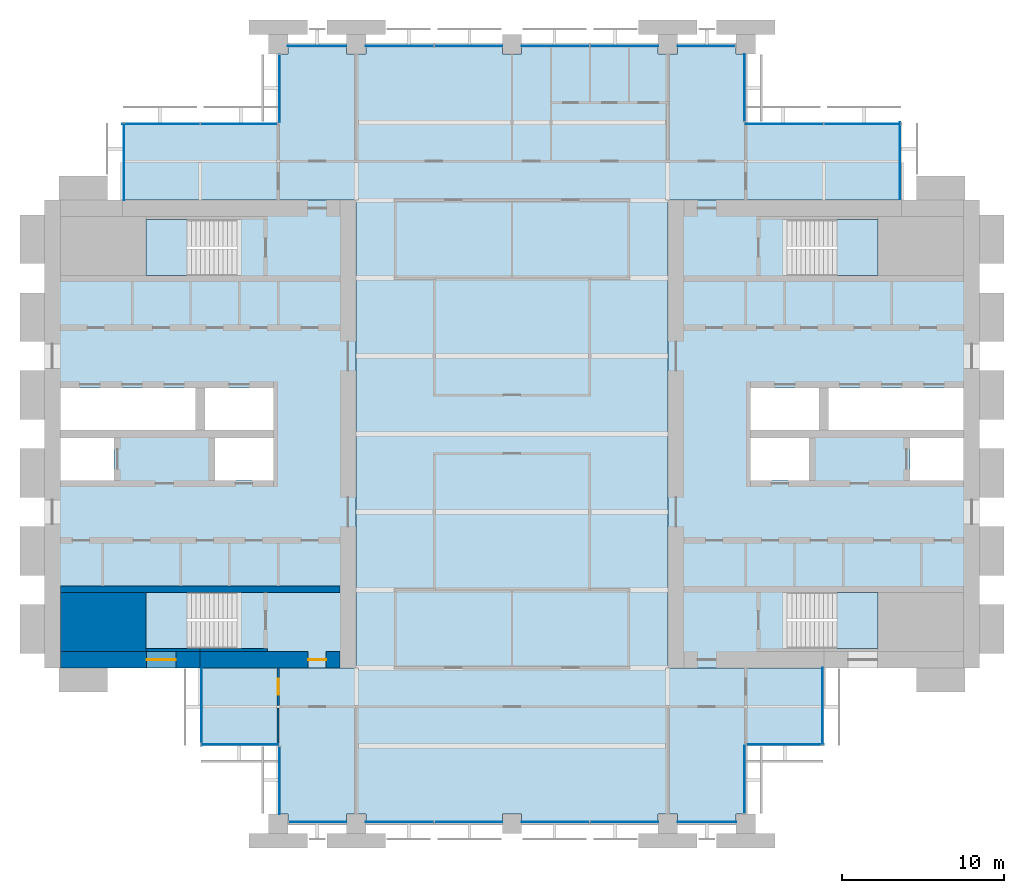
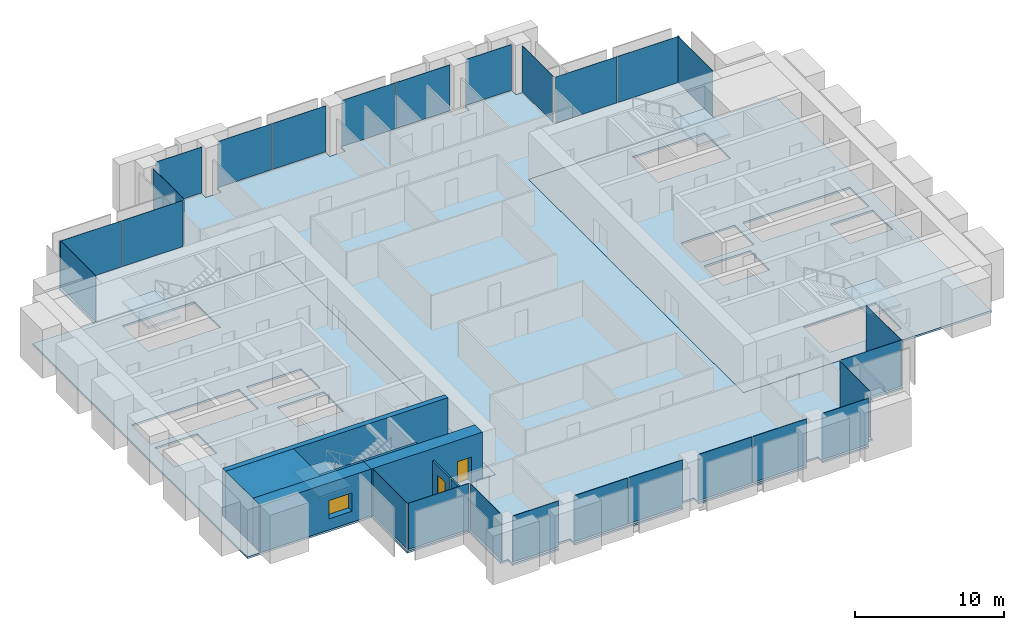
# One storey, part 8 of 14: 26 plates, 8 walls, 7 slabs, 2 doors, 1 window, 3 openings, 18 elements without a shape of their own.
"""IFC4 building model written with IfcOpenShell, lengths in metres."""

from ifc_helpers import new_model, si_unit, direction, frame, frame_2d, origin, origin_2d, place, context, subcontext, project, spatial, polyline, rectangle, outline, extrude, material, layer, layer_set, type_object, element, fill, aggregate, save


model = new_model("IFC4")

# Units and contexts
model_context = context("Model", 3, precision=1e-05, world=origin(), true_north=direction((0.0, 1.0)))
body_context = subcontext(model_context, "Body", "Model", "MODEL_VIEW")
ifc_project = project(units=[si_unit("LENGTHUNIT", "METRE"), si_unit("AREAUNIT", "SQUARE_METRE"), si_unit("VOLUMEUNIT", "CUBIC_METRE"), si_unit("PLANEANGLEUNIT", "RADIAN"), si_unit("MASSUNIT", "GRAM", prefix="KILO")], contexts=[model_context])

# Site, building, storey
site_placement = place(None, origin())
site = spatial("IfcSite", under=ifc_project, at=site_placement, CompositionType="ELEMENT")
building_placement = place(site_placement, origin())
building = spatial("IfcBuilding", under=site, at=building_placement, Name="Baori Bourse Tower", CompositionType="ELEMENT")
storey_placement = place(building_placement, frame((0.0, 0.0, 124.10009765625)))
storey = spatial("IfcBuildingStorey", under=building, at=storey_placement, Name="L26", CompositionType="ELEMENT", Elevation=124.10009765625)

# Curtain wall, plates
ifc_material_1 = material(Name="Pale anodised aluminium", Category="aluminium")
curtain_wall_type_1 = type_object("IfcCurtainWallType", Name="CW1 Curtain wall", PredefinedType="NOTDEFINED", material=ifc_material_1)
curtain_wall_1_placement = place(storey_placement, origin())
curtain_wall_1 = element("IfcCurtainWall", 1, at=curtain_wall_1_placement, inside=storey, type_object=curtain_wall_type_1, Name="Curtain wall CW1 L26 4", PredefinedType="NOTDEFINED")
ifc_material_2 = material(Name="Clear glass", Category="glass")
ifc_layer_1 = layer(ifc_material_2, 0.033935546875)
ifc_layer_set_1 = layer_set([ifc_layer_1], Name="CW1 Curtain wall panel")
plate_type_1 = type_object("IfcPlateType", Name="CW1 Curtain wall panel", PredefinedType="CURTAIN_PANEL", material=ifc_layer_set_1)
plate_1_placement = place(storey_placement, frame((40.77001953125, 47.89990234375, 0.080078125), z_axis=(0.0, 0.0, 1.0), x_axis=(-1.0, 0.0, 0.0)))
plate_1 = element("IfcPlate", 2, at=plate_1_placement, type_object=plate_type_1, Name="Curtain wall CW1 panel", PredefinedType="CURTAIN_PANEL", context=body_context, shape_type="SweptSolid", body=[
    extrude(rectangle(XDim=3.5400390625, YDim=0.033935546875, at=origin_2d()), origin(), (0.0, 0.0, 1.0), 3.760009765625),
])
plate_2_placement = place(storey_placement, frame((35.715087890625, 47.89990234375, 0.080078125), z_axis=(0.0, 0.0, 1.0), x_axis=(-1.0, 0.0, 0.0)))
plate_2 = element("IfcPlate", 3, at=plate_2_placement, type_object=plate_type_1, Name="Curtain wall CW1 panel", PredefinedType="CURTAIN_PANEL", context=body_context, shape_type="SweptSolid", body=[
    extrude(rectangle(XDim=4.169921875, YDim=0.033935546875, at=origin_2d()), origin(), (0.0, 0.0, 1.0), 3.760009765625),
])
plate_3_placement = place(storey_placement, frame((31.485107421875, 47.89990234375, 0.080078125), z_axis=(0.0, 0.0, 1.0), x_axis=(-1.0, 0.0, 0.0)))
plate_3 = element("IfcPlate", 4, at=plate_3_placement, type_object=plate_type_1, Name="Curtain wall CW1 panel", PredefinedType="CURTAIN_PANEL", context=body_context, shape_type="SweptSolid", body=[
    extrude(rectangle(XDim=4.169921875, YDim=0.033935546875, at=origin_2d()), origin(), (0.0, 0.0, 1.0), 3.760009765625),
])
plate_4_placement = place(storey_placement, frame((26.114990234375, 47.89990234375, 0.080078125), z_axis=(0.0, 0.0, 1.0), x_axis=(-1.0, 0.0, 0.0)))
plate_4 = element("IfcPlate", 5, at=plate_4_placement, type_object=plate_type_1, Name="Curtain wall CW1 panel", PredefinedType="CURTAIN_PANEL", context=body_context, shape_type="SweptSolid", body=[
    extrude(rectangle(XDim=4.169921875, YDim=0.033935546875, at=origin_2d()), origin(), (0.0, 0.0, 1.0), 3.760009765625),
])
plate_5_placement = place(storey_placement, frame((21.885009765625, 47.89990234375, 0.080078125), z_axis=(0.0, 0.0, 1.0), x_axis=(-1.0, 0.0, 0.0)))
plate_5 = element("IfcPlate", 6, at=plate_5_placement, type_object=plate_type_1, Name="Curtain wall CW1 panel", PredefinedType="CURTAIN_PANEL", context=body_context, shape_type="SweptSolid", body=[
    extrude(rectangle(XDim=4.169921875, YDim=0.033935546875, at=origin_2d()), origin(), (0.0, 0.0, 1.0), 3.760009765625),
])
plate_6_placement = place(storey_placement, frame((16.800048828125, 47.89990234375, 0.080078125), z_axis=(0.0, 0.0, 1.0), x_axis=(-1.0, 0.0, 0.0)))
plate_6 = element("IfcPlate", 7, at=plate_6_placement, type_object=plate_type_1, Name="Curtain wall CW1 panel", PredefinedType="CURTAIN_PANEL", context=body_context, shape_type="SweptSolid", body=[
    extrude(rectangle(XDim=3.60009765625, YDim=0.033935546875, at=origin_2d()), origin(), (0.0, 0.0, 1.0), 3.760009765625),
])
aggregate(curtain_wall_1, [plate_1, plate_2, plate_3, plate_4, plate_5, plate_6])

curtain_wall_2_placement = place(storey_placement, origin())
curtain_wall_2 = element("IfcCurtainWall", 8, at=curtain_wall_2_placement, inside=storey, type_object=curtain_wall_type_1, Name="Curtain wall CW1 L26 11", PredefinedType="NOTDEFINED")
plate_7_placement = place(storey_placement, frame((16.830078125, 0.10009765625, 0.080078125), z_axis=(0.0, 0.0, 1.0), x_axis=(1.0, 0.0, 0.0)))
plate_7 = element("IfcPlate", 9, at=plate_7_placement, type_object=plate_type_1, Name="Curtain wall CW1 panel", PredefinedType="CURTAIN_PANEL", context=body_context, shape_type="SweptSolid", body=[
    extrude(rectangle(XDim=3.5400390625, YDim=0.033935546875, at=origin_2d()), origin(), (0.0, 0.0, 1.0), 3.760009765625),
])
plate_8_placement = place(storey_placement, frame((21.885009765625, 0.10009765625, 0.080078125), z_axis=(0.0, 0.0, 1.0), x_axis=(1.0, 0.0, 0.0)))
plate_8 = element("IfcPlate", 10, at=plate_8_placement, type_object=plate_type_1, Name="Curtain wall CW1 panel", PredefinedType="CURTAIN_PANEL", context=body_context, shape_type="SweptSolid", body=[
    extrude(rectangle(XDim=4.169921875, YDim=0.033935546875, at=origin_2d()), origin(), (0.0, 0.0, 1.0), 3.760009765625),
])
plate_9_placement = place(storey_placement, frame((26.114990234375, 0.10009765625, 0.080078125), z_axis=(0.0, 0.0, 1.0), x_axis=(1.0, 0.0, 0.0)))
plate_9 = element("IfcPlate", 11, at=plate_9_placement, type_object=plate_type_1, Name="Curtain wall CW1 panel", PredefinedType="CURTAIN_PANEL", context=body_context, shape_type="SweptSolid", body=[
    extrude(rectangle(XDim=4.169921875, YDim=0.033935546875, at=origin_2d()), origin(), (0.0, 0.0, 1.0), 3.760009765625),
])
plate_10_placement = place(storey_placement, frame((31.485107421875, 0.10009765625, 0.080078125), z_axis=(0.0, 0.0, 1.0), x_axis=(1.0, 0.0, 0.0)))
plate_10 = element("IfcPlate", 12, at=plate_10_placement, type_object=plate_type_1, Name="Curtain wall CW1 panel", PredefinedType="CURTAIN_PANEL", context=body_context, shape_type="SweptSolid", body=[
    extrude(rectangle(XDim=4.169921875, YDim=0.033935546875, at=origin_2d()), origin(), (0.0, 0.0, 1.0), 3.760009765625),
])
plate_11_placement = place(storey_placement, frame((35.715087890625, 0.10009765625, 0.080078125), z_axis=(0.0, 0.0, 1.0), x_axis=(1.0, 0.0, 0.0)))
plate_11 = element("IfcPlate", 13, at=plate_11_placement, type_object=plate_type_1, Name="Curtain wall CW1 panel", PredefinedType="CURTAIN_PANEL", context=body_context, shape_type="SweptSolid", body=[
    extrude(rectangle(XDim=4.169921875, YDim=0.033935546875, at=origin_2d()), origin(), (0.0, 0.0, 1.0), 3.760009765625),
])
plate_12_placement = place(storey_placement, frame((40.800048828125, 0.10009765625, 0.080078125), z_axis=(0.0, 0.0, 1.0), x_axis=(1.0, 0.0, 0.0)))
plate_12 = element("IfcPlate", 14, at=plate_12_placement, type_object=plate_type_1, Name="Curtain wall CW1 panel", PredefinedType="CURTAIN_PANEL", context=body_context, shape_type="SweptSolid", body=[
    extrude(rectangle(XDim=3.60009765625, YDim=0.033935546875, at=origin_2d()), origin(), (0.0, 0.0, 1.0), 3.760009765625),
])
aggregate(curtain_wall_2, [plate_7, plate_8, plate_9, plate_10, plate_11, plate_12])

# Curtain wall, plate
ifc_material_3 = material(Name="Pale anodised aluminium", Category="aluminium")
curtain_wall_type_2 = type_object("IfcCurtainWallType", Name="CW2 Curtain wall", PredefinedType="NOTDEFINED", material=ifc_material_3)
curtain_wall_3_placement = place(storey_placement, origin())
curtain_wall_3 = element("IfcCurtainWall", 15, at=curtain_wall_3_placement, inside=storey, type_object=curtain_wall_type_2, Name="Curtain wall CW2 L26 1", PredefinedType="NOTDEFINED")
ifc_material_4 = material(Name="Clear glass", Category="glass")
ifc_layer_2 = layer(ifc_material_4, 0.030029296875)
ifc_layer_set_2 = layer_set([ifc_layer_2], Name="CW2 Curtain wall panel")
plate_type_2 = type_object("IfcPlateType", Name="CW2 Curtain wall panel", PredefinedType="CURTAIN_PANEL", material=ifc_layer_set_2)
plate_13_placement = place(storey_placement, frame((52.7099609375, 40.827392578125, 0.06982421875), z_axis=(0.0, 0.0, 1.0), x_axis=(0.0, 1.0, 0.0)))
plate_13 = element("IfcPlate", 16, at=plate_13_placement, type_object=plate_type_2, Name="Curtain wall CW2 panel", PredefinedType="CURTAIN_PANEL", context=body_context, shape_type="SweptSolid", body=[
    extrude(rectangle(XDim=4.7451171875, YDim=0.030029296875, at=origin_2d()), origin(), (0.0, 0.0, 1.0), 3.77001953125),
])
aggregate(curtain_wall_3, [plate_13])

# Curtain wall, plates
curtain_wall_4_placement = place(storey_placement, origin())
curtain_wall_4 = element("IfcCurtainWall", 17, at=curtain_wall_4_placement, inside=storey, type_object=curtain_wall_type_2, Name="Curtain wall CW2 L26 2", PredefinedType="NOTDEFINED")
plate_14_placement = place(storey_placement, frame((50.38623046875, 43.110107421875, 0.06982421875), z_axis=(0.0, 0.0, 1.0), x_axis=(-1.0, 0.0, 0.0)))
plate_14 = element("IfcPlate", 18, at=plate_14_placement, type_object=plate_type_2, Name="Curtain wall CW2 panel", PredefinedType="CURTAIN_PANEL", context=body_context, shape_type="SweptSolid", body=[
    extrude(rectangle(XDim=4.717529296875, YDim=0.030029296875, at=origin_2d()), origin(), (0.0, 0.0, 1.0), 3.77001953125),
])
plate_15_placement = place(storey_placement, frame((45.586181640625, 43.110107421875, 0.06982421875), z_axis=(0.0, 0.0, 1.0), x_axis=(-1.0, 0.0, 0.0)))
plate_15 = element("IfcPlate", 19, at=plate_15_placement, type_object=plate_type_2, Name="Curtain wall CW2 panel", PredefinedType="CURTAIN_PANEL", context=body_context, shape_type="SweptSolid", body=[
    extrude(rectangle(XDim=4.7724609375, YDim=0.030029296875, at=origin_2d()), origin(), (0.0, 0.0, 1.0), 3.77001953125),
])
aggregate(curtain_wall_4, [plate_14, plate_15])

# Curtain wall, plate
curtain_wall_5_placement = place(storey_placement, origin())
curtain_wall_5 = element("IfcCurtainWall", 20, at=curtain_wall_5_placement, inside=storey, type_object=curtain_wall_type_2, Name="Curtain wall CW2 L26 3", PredefinedType="NOTDEFINED")
plate_16_placement = place(storey_placement, frame((43.110107421875, 45.327392578125, 0.06982421875), z_axis=(0.0, 0.0, 1.0), x_axis=(0.0, 1.0, 0.0)))
plate_16 = element("IfcPlate", 21, at=plate_16_placement, type_object=plate_type_2, Name="Curtain wall CW2 panel", PredefinedType="CURTAIN_PANEL", context=body_context, shape_type="SweptSolid", body=[
    extrude(rectangle(XDim=4.14501953125, YDim=0.030029296875, at=origin_2d()), origin(), (0.0, 0.0, 1.0), 3.77001953125),
])
aggregate(curtain_wall_5, [plate_16])

curtain_wall_6_placement = place(storey_placement, origin())
curtain_wall_6 = element("IfcCurtainWall", 22, at=curtain_wall_6_placement, inside=storey, type_object=curtain_wall_type_2, Name="Curtain wall CW2 L26 5", PredefinedType="NOTDEFINED")
plate_17_placement = place(storey_placement, frame((14.489990234375, 45.2724609375, 0.06982421875), z_axis=(0.0, 0.0, 1.0), x_axis=(0.0, -1.0, 0.0)))
plate_17 = element("IfcPlate", 23, at=plate_17_placement, type_object=plate_type_2, Name="Curtain wall CW2 panel", PredefinedType="CURTAIN_PANEL", context=body_context, shape_type="SweptSolid", body=[
    extrude(rectangle(XDim=4.14501953125, YDim=0.030029296875, at=origin_2d()), origin(), (0.0, 0.0, 1.0), 3.77001953125),
])
aggregate(curtain_wall_6, [plate_17])

# Curtain wall, plates
curtain_wall_7_placement = place(storey_placement, origin())
curtain_wall_7 = element("IfcCurtainWall", 24, at=curtain_wall_7_placement, inside=storey, type_object=curtain_wall_type_2, Name="Curtain wall CW2 L26 6", PredefinedType="NOTDEFINED")
plate_18_placement = place(storey_placement, frame((11.986328125, 43.110107421875, 0.06982421875), z_axis=(0.0, 0.0, 1.0), x_axis=(-1.0, 0.0, 0.0)))
plate_18 = element("IfcPlate", 25, at=plate_18_placement, type_object=plate_type_2, Name="Curtain wall CW2 panel", PredefinedType="CURTAIN_PANEL", context=body_context, shape_type="SweptSolid", body=[
    extrude(rectangle(XDim=4.717529296875, YDim=0.030029296875, at=origin_2d()), origin(), (0.0, 0.0, 1.0), 3.77001953125),
])
plate_19_placement = place(storey_placement, frame((7.186279296875, 43.110107421875, 0.06982421875), z_axis=(0.0, 0.0, 1.0), x_axis=(-1.0, 0.0, 0.0)))
plate_19 = element("IfcPlate", 26, at=plate_19_placement, type_object=plate_type_2, Name="Curtain wall CW2 panel", PredefinedType="CURTAIN_PANEL", context=body_context, shape_type="SweptSolid", body=[
    extrude(rectangle(XDim=4.7724609375, YDim=0.030029296875, at=origin_2d()), origin(), (0.0, 0.0, 1.0), 3.77001953125),
])
aggregate(curtain_wall_7, [plate_18, plate_19])

# Curtain wall, plate
curtain_wall_8_placement = place(storey_placement, origin())
curtain_wall_8 = element("IfcCurtainWall", 27, at=curtain_wall_8_placement, inside=storey, type_object=curtain_wall_type_2, Name="Curtain wall CW2 L26 7", PredefinedType="NOTDEFINED")
plate_20_placement = place(storey_placement, frame((4.889892578125, 40.7724609375, 0.06982421875), z_axis=(0.0, 0.0, 1.0), x_axis=(0.0, -1.0, 0.0)))
plate_20 = element("IfcPlate", 28, at=plate_20_placement, type_object=plate_type_2, Name="Curtain wall CW2 panel", PredefinedType="CURTAIN_PANEL", context=body_context, shape_type="SweptSolid", body=[
    extrude(rectangle(XDim=4.7451171875, YDim=0.030029296875, at=origin_2d()), origin(), (0.0, 0.0, 1.0), 3.77001953125),
])
aggregate(curtain_wall_8, [plate_20])

curtain_wall_9_placement = place(storey_placement, origin())
curtain_wall_9 = element("IfcCurtainWall", 29, at=curtain_wall_9_placement, inside=storey, type_object=curtain_wall_type_2, Name="Curtain wall CW2 L26 8", PredefinedType="NOTDEFINED")
plate_21_placement = place(storey_placement, frame((9.68994140625, 7.172607421875, 0.06982421875), z_axis=(0.0, 0.0, 1.0), x_axis=(0.0, -1.0, 0.0)))
plate_21 = element("IfcPlate", 30, at=plate_21_placement, type_object=plate_type_2, Name="Curtain wall CW2 panel", PredefinedType="CURTAIN_PANEL", context=body_context, shape_type="SweptSolid", body=[
    extrude(rectangle(XDim=4.7451171875, YDim=0.030029296875, at=origin_2d()), origin(), (0.0, 0.0, 1.0), 3.77001953125),
])
aggregate(curtain_wall_9, [plate_21])

curtain_wall_10_placement = place(storey_placement, origin())
curtain_wall_10 = element("IfcCurtainWall", 31, at=curtain_wall_10_placement, inside=storey, type_object=curtain_wall_type_2, Name="Curtain wall CW2 L26 9", PredefinedType="NOTDEFINED")
plate_22_placement = place(storey_placement, frame((12.027587890625, 4.889892578125, 0.06982421875), z_axis=(0.0, 0.0, 1.0), x_axis=(1.0, 0.0, 0.0)))
plate_22 = element("IfcPlate", 32, at=plate_22_placement, type_object=plate_type_2, Name="Curtain wall CW2 panel", PredefinedType="CURTAIN_PANEL", context=body_context, shape_type="SweptSolid", body=[
    extrude(rectangle(XDim=4.7451171875, YDim=0.030029296875, at=origin_2d()), origin(), (0.0, 0.0, 1.0), 3.77001953125),
])
aggregate(curtain_wall_10, [plate_22])

curtain_wall_11_placement = place(storey_placement, origin())
curtain_wall_11 = element("IfcCurtainWall", 33, at=curtain_wall_11_placement, inside=storey, type_object=curtain_wall_type_2, Name="Curtain wall CW2 L26 10", PredefinedType="NOTDEFINED")
plate_23_placement = place(storey_placement, frame((14.489990234375, 2.672607421875, 0.06982421875), z_axis=(0.0, 0.0, 1.0), x_axis=(0.0, -1.0, 0.0)))
plate_23 = element("IfcPlate", 34, at=plate_23_placement, type_object=plate_type_2, Name="Curtain wall CW2 panel", PredefinedType="CURTAIN_PANEL", context=body_context, shape_type="SweptSolid", body=[
    extrude(rectangle(XDim=4.14501953125, YDim=0.030029296875, at=origin_2d()), origin(), (0.0, 0.0, 1.0), 3.77001953125),
])
aggregate(curtain_wall_11, [plate_23])

curtain_wall_12_placement = place(storey_placement, origin())
curtain_wall_12 = element("IfcCurtainWall", 35, at=curtain_wall_12_placement, inside=storey, type_object=curtain_wall_type_2, Name="Curtain wall CW2 L26 12", PredefinedType="NOTDEFINED")
plate_24_placement = place(storey_placement, frame((43.110107421875, 2.7275390625, 0.06982421875), z_axis=(0.0, 0.0, 1.0), x_axis=(0.0, 1.0, 0.0)))
plate_24 = element("IfcPlate", 36, at=plate_24_placement, type_object=plate_type_2, Name="Curtain wall CW2 panel", PredefinedType="CURTAIN_PANEL", context=body_context, shape_type="SweptSolid", body=[
    extrude(rectangle(XDim=4.14501953125, YDim=0.030029296875, at=origin_2d()), origin(), (0.0, 0.0, 1.0), 3.77001953125),
])
aggregate(curtain_wall_12, [plate_24])

curtain_wall_13_placement = place(storey_placement, origin())
curtain_wall_13 = element("IfcCurtainWall", 37, at=curtain_wall_13_placement, inside=storey, type_object=curtain_wall_type_2, Name="Curtain wall CW2 L26 13", PredefinedType="NOTDEFINED")
plate_25_placement = place(storey_placement, frame((45.62744140625, 4.889892578125, 0.06982421875), z_axis=(0.0, 0.0, 1.0), x_axis=(1.0, 0.0, 0.0)))
plate_25 = element("IfcPlate", 38, at=plate_25_placement, type_object=plate_type_2, Name="Curtain wall CW2 panel", PredefinedType="CURTAIN_PANEL", context=body_context, shape_type="SweptSolid", body=[
    extrude(rectangle(XDim=4.7451171875, YDim=0.030029296875, at=origin_2d()), origin(), (0.0, 0.0, 1.0), 3.77001953125),
])
aggregate(curtain_wall_13, [plate_25])

curtain_wall_14_placement = place(storey_placement, origin())
curtain_wall_14 = element("IfcCurtainWall", 39, at=curtain_wall_14_placement, inside=storey, type_object=curtain_wall_type_2, Name="Curtain wall CW2 L26 14", PredefinedType="NOTDEFINED")
plate_26_placement = place(storey_placement, frame((47.909912109375, 7.2275390625, 0.06982421875), z_axis=(0.0, 0.0, 1.0), x_axis=(0.0, 1.0, 0.0)))
plate_26 = element("IfcPlate", 40, at=plate_26_placement, type_object=plate_type_2, Name="Curtain wall CW2 panel", PredefinedType="CURTAIN_PANEL", context=body_context, shape_type="SweptSolid", body=[
    extrude(rectangle(XDim=4.7451171875, YDim=0.030029296875, at=origin_2d()), origin(), (0.0, 0.0, 1.0), 3.77001953125),
])
aggregate(curtain_wall_14, [plate_26])

# Slabs
ifc_material_5 = material(Name="Concrete f'c 50 MPa", Category="concrete")
ifc_layer_3 = layer(ifc_material_5, 0.159912109375)
ifc_layer_set_3 = layer_set([ifc_layer_3], Name="Core slab 160")
slab_type_1 = type_object("IfcSlabType", Name="Core slab 160", PredefinedType="FLOOR", material=ifc_layer_set_3)
slab_1_placement = place(storey_placement, frame((0.0, 0.0, -0.16015625)))
element("IfcSlab", 41, at=slab_1_placement, inside=storey, type_object=slab_type_1, Name="Core floor slab W01", PredefinedType="FLOOR", context=body_context, shape_type="SweptSolid", body=[
    extrude(outline(polyline([(0.0, 38.39990234375), (0.0, 9.60009765625), (19.199951171875, 9.60009765625), (19.199951171875, 38.39990234375), (0.0, 38.39990234375)]), holes=[polyline([(10.5, 21.14990234375), (10.5, 23.75), (14.10009765625, 23.75), (14.10009765625, 21.14990234375), (10.5, 21.14990234375)]), polyline([(14.10009765625, 24.25), (9.89990234375, 24.25), (9.89990234375, 26.85009765625), (14.10009765625, 26.85009765625), (14.10009765625, 24.25)]), polyline([(6.25, 14.25), (11.84912109375, 14.25), (11.84912109375, 10.800048828125), (6.25, 10.800048828125), (6.25, 14.25)]), polyline([(11.84912109375, 37.199951171875), (11.84912109375, 33.75), (6.25, 33.75), (6.25, 37.199951171875), (11.84912109375, 37.199951171875)]), polyline([(1.0, 26.85009765625), (9.300048828125, 26.85009765625), (9.300048828125, 24.25), (1.0, 24.25), (1.0, 26.85009765625)]), polyline([(4.300048828125, 23.75), (4.300048828125, 21.14990234375), (1.0, 21.14990234375), (1.0, 23.75), (4.300048828125, 23.75)])]), origin(), (0.0, 0.0, 1.0), 0.16015625),
])
slab_2_placement = place(storey_placement, frame((0.0, 0.0, -0.16015625)))
element("IfcSlab", 42, at=slab_2_placement, inside=storey, type_object=slab_type_1, Name="Core floor slab E01", PredefinedType="FLOOR", context=body_context, shape_type="SweptSolid", body=[
    extrude(outline(polyline([(57.60009765625, 38.39990234375), (38.39990234375, 38.39990234375), (38.39990234375, 9.60009765625), (57.60009765625, 9.60009765625), (57.60009765625, 38.39990234375)]), holes=[polyline([(56.60009765625, 21.14990234375), (53.300048828125, 21.14990234375), (53.300048828125, 23.75), (56.60009765625, 23.75), (56.60009765625, 21.14990234375)]), polyline([(56.60009765625, 26.85009765625), (56.60009765625, 24.25), (48.300048828125, 24.25), (48.300048828125, 26.85009765625), (56.60009765625, 26.85009765625)]), polyline([(45.750732421875, 14.25), (51.35009765625, 14.25), (51.35009765625, 10.800048828125), (45.750732421875, 10.800048828125), (45.750732421875, 14.25)]), polyline([(51.35009765625, 37.199951171875), (51.35009765625, 33.75), (45.750732421875, 33.75), (45.750732421875, 37.199951171875), (51.35009765625, 37.199951171875)]), polyline([(43.5, 24.25), (43.5, 26.85009765625), (47.699951171875, 26.85009765625), (47.699951171875, 24.25), (43.5, 24.25)]), polyline([(43.5, 23.75), (47.10009765625, 23.75), (47.10009765625, 21.14990234375), (43.5, 21.14990234375), (43.5, 23.75)])]), origin(), (0.0, 0.0, 1.0), 0.16015625),
])

# Stair, slab
ifc_material_6 = material(Name="Concrete f'c 50 MPa", Category="concrete")
stair_type = type_object("IfcStairType", Name="Core stair", PredefinedType="HALF_TURN_STAIR", material=ifc_material_6)
stair_1_placement = place(storey_placement, origin())
stair_1 = element("IfcStair", 43, at=stair_1_placement, inside=storey, type_object=stair_type, Name="L26 Stair WA", PredefinedType="HALF_TURN_STAIR")
ifc_material_7 = material(Name="Concrete f'c 50 MPa", Category="concrete")
slab_type_2 = type_object("IfcSlabType", Name="Core stair landing", PredefinedType="LANDING", material=ifc_material_7)
slab_3_placement = place(storey_placement, frame((0.0, 0.0, 1.7998046875)))
slab_3 = element("IfcSlab", 44, at=slab_3_placement, type_object=slab_type_2, Name="ST1 landing 1", PredefinedType="LANDING", context=body_context, shape_type="SweptSolid", body=[
    extrude(outline(polyline([(8.77001953125, 14.25), (6.25, 14.25), (6.25, 10.800048828125), (8.77001953125, 10.800048828125), (8.77001953125, 14.25)])), origin(), (0.0, 0.0, 1.0), 0.2001953125),
])
aggregate(stair_1, [slab_3])

stair_2_placement = place(storey_placement, origin())
stair_2 = element("IfcStair", 45, at=stair_2_placement, inside=storey, type_object=stair_type, Name="L26 Stair WB", PredefinedType="HALF_TURN_STAIR")
slab_4_placement = place(storey_placement, frame((0.0, 0.0, 1.7998046875)))
slab_4 = element("IfcSlab", 46, at=slab_4_placement, type_object=slab_type_2, Name="ST2 landing 1", PredefinedType="LANDING", context=body_context, shape_type="SweptSolid", body=[
    extrude(outline(polyline([(8.77001953125, 37.199951171875), (6.25, 37.199951171875), (6.25, 33.75), (8.77001953125, 33.75), (8.77001953125, 37.199951171875)])), origin(), (0.0, 0.0, 1.0), 0.2001953125),
])
aggregate(stair_2, [slab_4])

stair_3_placement = place(storey_placement, origin())
stair_3 = element("IfcStair", 47, at=stair_3_placement, inside=storey, type_object=stair_type, Name="L26 Stair EA", PredefinedType="HALF_TURN_STAIR")
slab_5_placement = place(storey_placement, frame((0.0, 0.0, 1.7998046875)))
slab_5 = element("IfcSlab", 48, at=slab_5_placement, type_object=slab_type_2, Name="ST3 landing 1", PredefinedType="LANDING", context=body_context, shape_type="SweptSolid", body=[
    extrude(outline(polyline([(48.830078125, 10.800048828125), (51.35009765625, 10.800048828125), (51.35009765625, 14.25), (48.830078125, 14.25), (48.830078125, 10.800048828125)])), origin(), (0.0, 0.0, 1.0), 0.2001953125),
])
aggregate(stair_3, [slab_5])

stair_4_placement = place(storey_placement, origin())
stair_4 = element("IfcStair", 49, at=stair_4_placement, inside=storey, type_object=stair_type, Name="L26 Stair EB", PredefinedType="HALF_TURN_STAIR")
slab_6_placement = place(storey_placement, frame((0.0, 0.0, 1.7998046875)))
slab_6 = element("IfcSlab", 50, at=slab_6_placement, type_object=slab_type_2, Name="ST4 landing 1", PredefinedType="LANDING", context=body_context, shape_type="SweptSolid", body=[
    extrude(outline(polyline([(48.830078125, 33.75), (51.35009765625, 33.75), (51.35009765625, 37.199951171875), (48.830078125, 37.199951171875), (48.830078125, 33.75)])), origin(), (0.0, 0.0, 1.0), 0.2001953125),
])
aggregate(stair_4, [slab_6])

# Slab
ifc_material_8 = material(Name="Concrete f'c 40 MPa", Category="concrete")
ifc_layer_4 = layer(ifc_material_8, 0.159912109375)
ifc_layer_set_4 = layer_set([ifc_layer_4], Name="Floor slab 160")
slab_type_3 = type_object("IfcSlabType", Name="Floor slab 160", PredefinedType="FLOOR", material=ifc_layer_set_4)
slab_7_placement = place(storey_placement, frame((0.0, 0.0, -0.16015625)))
element("IfcSlab", 51, at=slab_7_placement, inside=storey, type_object=slab_type_3, Name="Floor slab L26", PredefinedType="FLOOR", context=body_context, shape_type="SweptSolid", body=[
    extrude(outline(polyline([(14.39990234375, 4.800048828125), (9.60009765625, 4.800048828125), (9.60009765625, 9.60009765625), (19.199951171875, 9.60009765625), (19.199951171875, 38.39990234375), (4.800048828125, 38.39990234375), (4.800048828125, 43.199951171875), (14.39990234375, 43.199951171875), (14.39990234375, 47.39990234375), (15.0, 47.39990234375), (15.0, 48.0), (18.60009765625, 48.0), (18.60009765625, 47.39990234375), (19.800048828125, 47.39990234375), (19.800048828125, 48.0), (28.199951171875, 48.0), (28.199951171875, 47.39990234375), (29.39990234375, 47.39990234375), (29.39990234375, 48.0), (37.800048828125, 48.0), (37.800048828125, 47.39990234375), (39.0, 47.39990234375), (39.0, 48.0), (42.60009765625, 48.0), (42.60009765625, 47.39990234375), (43.199951171875, 47.39990234375), (43.199951171875, 43.199951171875), (52.800048828125, 43.199951171875), (52.800048828125, 38.39990234375), (38.39990234375, 38.39990234375), (38.39990234375, 9.60009765625), (48.0, 9.60009765625), (48.0, 4.800048828125), (43.199951171875, 4.800048828125), (43.199951171875, 0.60009765625), (42.60009765625, 0.60009765625), (42.60009765625, 0.0), (39.0, 0.0), (39.0, 0.60009765625), (37.800048828125, 0.60009765625), (37.800048828125, 0.0), (29.39990234375, 0.0), (29.39990234375, 0.60009765625), (28.199951171875, 0.60009765625), (28.199951171875, 0.0), (19.800048828125, 0.0), (19.800048828125, 0.60009765625), (18.60009765625, 0.60009765625), (18.60009765625, 0.0), (15.0, 0.0), (15.0, 0.60009765625), (14.39990234375, 0.60009765625), (14.39990234375, 4.800048828125)])), origin(), (0.0, 0.0, 1.0), 0.16015625),
])

# Wall
ifc_material_9 = material(Name="Concrete f'c 60 MPa", Category="concrete")
wall_type_1 = type_object("IfcWallType", Name="Core corner block f'c 60", PredefinedType="SHEAR", material=ifc_material_9)
wall_1_placement = place(storey_placement, frame((1.0, 12.425048828125, 0.0), z_axis=(0.0, 0.0, 1.0), x_axis=(1.0, 0.0, 0.0)))
element("IfcWall", 52, at=wall_1_placement, inside=storey, type_object=wall_type_1, Name="Core wall W05", PredefinedType="SHEAR", context=body_context, shape_type="SweptSolid", body=[
    extrude(rectangle(XDim=5.25, YDim=3.64990234375, at=frame_2d((2.625, 0.0))), origin(), (0.0, 0.0, 1.0), 3.83984375),
])

# Wall, opening, window
ifc_material_10 = material(Name="Concrete f'c 60 MPa", Category="concrete")
ifc_layer_5 = layer(ifc_material_10, 1.0)
ifc_layer_set_5 = layer_set([ifc_layer_5], Name="Core wall 1000 f'c 60")
wall_type_2 = type_object("IfcWallType", Name="Core wall 1000 f'c 60", PredefinedType="SHEAR", material=ifc_layer_set_5)
wall_2_placement = place(storey_placement, frame((9.60009765625, 10.10009765625, 0.0), z_axis=(0.0, 0.0, 1.0), x_axis=(-1.0, 0.0, 0.0)))
wall_2 = element("IfcWall", 53, at=wall_2_placement, inside=storey, type_object=wall_type_2, Name="Core wall W02", PredefinedType="SHEAR", context=body_context, shape_type="SweptSolid", body=[
    extrude(rectangle(XDim=8.60009765625, YDim=1.0, at=frame_2d((4.300048828125, 0.0))), origin(), (0.0, 0.0, 1.0), 3.83984375),
])
opening_1_placement = place(wall_2_placement, frame((1.5, 0.0, 0.89990234375)))
opening_1 = element("IfcOpeningElement", 54, at=opening_1_placement, cuts=wall_2, Name="Opening L26-KW103", PredefinedType="OPENING", context=body_context, shape_type="SweptSolid", body=[
    extrude(rectangle(XDim=1.800048828125, YDim=1.5, at=frame_2d((0.89990234375, 0.75))), frame((0.0, 0.510009765625, 0.0), z_axis=(0.0, -1.0, 0.0), x_axis=(1.0, 0.0, 0.0)), (0.0, 0.0, 1.0), 1.02001953125),
])
ifc_material_11 = material(Name="Pale anodised aluminium", Category="aluminium")
window_type = type_object("IfcWindowType", Name="Stair window 1800 x 1500", PartitioningType="SINGLE_PANEL", PredefinedType="WINDOW", material=ifc_material_11)
window_placement = place(opening_1_placement, origin())
window = element("IfcWindow", 55, at=window_placement, inside=storey, type_object=window_type, Name="Stair window W L26 3", OverallHeight=1.5, OverallWidth=1.800048828125, PartitioningType="SINGLE_PANEL", PredefinedType="WINDOW", context=body_context, shape_type="SweptSolid", body=[
    extrude(rectangle(XDim=1.800048828125, YDim=1.5, at=frame_2d((0.89990234375, 0.75))), frame((0.0, 0.030029296875, 0.0), z_axis=(0.0, -1.0, 0.0), x_axis=(1.0, 0.0, 0.0)), (0.0, 0.0, 1.0), 0.06005859375),
])
fill(opening_1, window)

# Wall, opening, door
wall_3_placement = place(storey_placement, frame((18.199951171875, 10.10009765625, 0.0), z_axis=(0.0, 0.0, 1.0), x_axis=(-1.0, 0.0, 0.0)))
wall_3 = element("IfcWall", 56, at=wall_3_placement, inside=storey, type_object=wall_type_2, Name="Core wall W03", PredefinedType="SHEAR", context=body_context, shape_type="SweptSolid", body=[
    extrude(rectangle(XDim=8.599853515625, YDim=1.0, at=frame_2d((4.2998046875, 0.0))), origin(), (0.0, 0.0, 1.0), 3.83984375),
])
opening_2_placement = place(wall_3_placement, frame((0.85009765625, 0.0, 0.0)))
opening_2 = element("IfcOpeningElement", 57, at=opening_2_placement, cuts=wall_3, Name="Opening L26-D102", PredefinedType="OPENING", context=body_context, shape_type="SweptSolid", body=[
    extrude(rectangle(XDim=1.10009765625, YDim=2.10009765625, at=frame_2d((0.550048828125, 1.050048828125))), frame((0.0, 0.510009765625, 0.0), z_axis=(0.0, -1.0, 0.0), x_axis=(1.0, 0.0, 0.0)), (0.0, 0.0, 1.0), 1.02001953125),
])
ifc_material_12 = material(Name="Painted steel door", Category="steel")
door_type_1 = type_object("IfcDoorType", Name="Stair door 1100", OperationType="SINGLE_SWING_LEFT", PredefinedType="DOOR", material=ifc_material_12)
door_1_placement = place(opening_2_placement, origin())
door_1 = element("IfcDoor", 58, at=door_1_placement, inside=storey, type_object=door_type_1, Name="Stair vestibule door A W L26", OperationType="SINGLE_SWING_LEFT", OverallHeight=2.10009765625, OverallWidth=1.10009765625, PredefinedType="DOOR", context=body_context, shape_type="SweptSolid", body=[
    extrude(rectangle(XDim=1.10009765625, YDim=2.10009765625, at=frame_2d((0.550048828125, 1.050048828125))), frame((0.0, 0.02490234375, 0.0), z_axis=(0.0, -1.0, 0.0), x_axis=(1.0, 0.0, 0.0)), (0.0, 0.0, 1.0), 0.050048828125),
])
fill(opening_2, door_1)

ifc_material_13 = material(Name="Gypsum board partition")
ifc_layer_6 = layer(ifc_material_13, 0.14990234375)
ifc_layer_set_6 = layer_set([ifc_layer_6], Name="Corridor partition 150")
wall_type_3 = type_object("IfcWallType", Name="Corridor partition 150", PredefinedType="PARTITIONING", material=ifc_layer_set_6)
wall_4_placement = place(storey_placement, frame((14.39990234375, 7.27490234375, 0.0), z_axis=(0.0, 0.0, 1.0), x_axis=(0.0, 1.0, 0.0)))
wall_4 = element("IfcWall", 59, at=wall_4_placement, inside=storey, type_object=wall_type_3, Name="Partition", PredefinedType="PARTITIONING", context=body_context, shape_type="SweptSolid", body=[
    extrude(rectangle(XDim=2.3251953125, YDim=0.14990234375, at=frame_2d((1.16259765625, 0.0))), origin(), (0.0, 0.0, 1.0), 2.849365234375),
])
opening_3_placement = place(wall_4_placement, frame((0.66259765625, 0.0, 0.0)))
opening_3 = element("IfcOpeningElement", 60, at=opening_3_placement, cuts=wall_4, Name="Opening L26-D18", PredefinedType="OPENING", context=body_context, shape_type="SweptSolid", body=[
    extrude(rectangle(XDim=1.0, YDim=2.10009765625, at=frame_2d((0.5, 1.050048828125))), frame((0.0, 0.0849609375, 0.0), z_axis=(0.0, -1.0, 0.0), x_axis=(1.0, 0.0, 0.0)), (0.0, 0.0, 1.0), 0.169921875),
])
ifc_material_14 = material(Name="Timber door leaf", Category="wood")
door_type_2 = type_object("IfcDoorType", Name="Door 1000 x 2100", OperationType="SINGLE_SWING_LEFT", PredefinedType="DOOR", material=ifc_material_14)
door_2_placement = place(opening_3_placement, origin())
door_2 = element("IfcDoor", 61, at=door_2_placement, inside=storey, type_object=door_type_2, Name="Door", OperationType="SINGLE_SWING_RIGHT", OverallHeight=2.10009765625, OverallWidth=1.0, PredefinedType="DOOR", context=body_context, shape_type="SweptSolid", body=[
    extrude(rectangle(XDim=1.0, YDim=2.10009765625, at=frame_2d((0.5, 1.050048828125))), frame((0.0, 0.02490234375, 0.0), z_axis=(0.0, -1.0, 0.0), x_axis=(1.0, 0.0, 0.0)), (0.0, 0.0, 1.0), 0.050048828125),
])
fill(opening_3, door_2)

# Walls
ifc_material_15 = material(Name="Gypsum board partition")
ifc_layer_7 = layer(ifc_material_15, 0.125)
ifc_layer_set_7 = layer_set([ifc_layer_7], Name="Partition 125")
wall_type_4 = type_object("IfcWallType", Name="Partition 125", PredefinedType="PARTITIONING", material=ifc_layer_set_7)
wall_5_placement = place(storey_placement, frame((14.39990234375, 4.89990234375, 0.0), z_axis=(0.0, 0.0, 1.0), x_axis=(0.0, 1.0, 0.0)))
element("IfcWall", 62, at=wall_5_placement, inside=storey, type_object=wall_type_4, Name="Partition", PredefinedType="PARTITIONING", context=body_context, shape_type="SweptSolid", body=[
    extrude(rectangle(XDim=2.22509765625, YDim=0.125, at=frame_2d((1.112548828125, 0.0))), origin(), (0.0, 0.0, 1.0), 2.849365234375),
])
ifc_material_16 = material(Name="Concrete f'c 60 MPa", Category="concrete")
ifc_layer_8 = layer(ifc_material_16, 0.199951171875)
ifc_layer_set_8 = layer_set([ifc_layer_8], Name="Shaft wall 200 f'c 60")
wall_type_5 = type_object("IfcWallType", Name="Shaft wall 200 f'c 60", PredefinedType="SHEAR", material=ifc_layer_set_8)
wall_6_placement = place(storey_placement, frame((6.25, 10.699951171875, 0.0), z_axis=(0.0, 0.0, 1.0), x_axis=(1.0, 0.0, 0.0)))
element("IfcWall", 63, at=wall_6_placement, inside=storey, type_object=wall_type_5, Name="Core wall W06", PredefinedType="SHEAR", context=body_context, shape_type="SweptSolid", body=[
    extrude(rectangle(XDim=3.35009765625, YDim=0.199951171875, at=frame_2d((1.675048828125, 0.0))), origin(), (0.0, 0.0, 1.0), 3.83984375),
])
wall_7_placement = place(storey_placement, frame((9.60009765625, 10.699951171875, 0.0), z_axis=(0.0, 0.0, 1.0), x_axis=(1.0, 0.0, 0.0)))
element("IfcWall", 64, at=wall_7_placement, inside=storey, type_object=wall_type_5, Name="Core wall W07", PredefinedType="SHEAR", context=body_context, shape_type="SweptSolid", body=[
    extrude(rectangle(XDim=4.14990234375, YDim=0.199951171875, at=frame_2d((2.074951171875, 0.0))), origin(), (0.0, 0.0, 1.0), 3.83984375),
])
ifc_material_17 = material(Name="Concrete f'c 60 MPa", Category="concrete")
ifc_layer_9 = layer(ifc_material_17, 0.39990234375)
ifc_layer_set_9 = layer_set([ifc_layer_9], Name="Shaft wall 400 f'c 60")
wall_type_6 = type_object("IfcWallType", Name="Shaft wall 400 f'c 60", PredefinedType="SHEAR", material=ifc_layer_set_9)
wall_8_placement = place(storey_placement, frame((1.0, 14.449951171875, 0.0), z_axis=(0.0, 0.0, 1.0), x_axis=(1.0, 0.0, 0.0)))
element("IfcWall", 65, at=wall_8_placement, inside=storey, type_object=wall_type_6, Name="Core wall W09", PredefinedType="SHEAR", context=body_context, shape_type="SweptSolid", body=[
    extrude(rectangle(XDim=17.199951171875, YDim=0.39990234375, at=frame_2d((8.60009765625, 0.0))), origin(), (0.0, 0.0, 1.0), 3.83984375),
])

save(model, "model.ifc")
